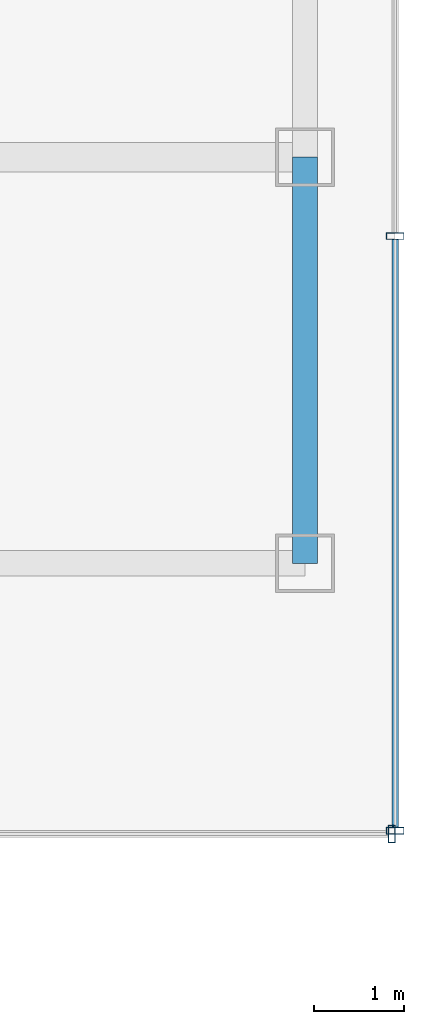
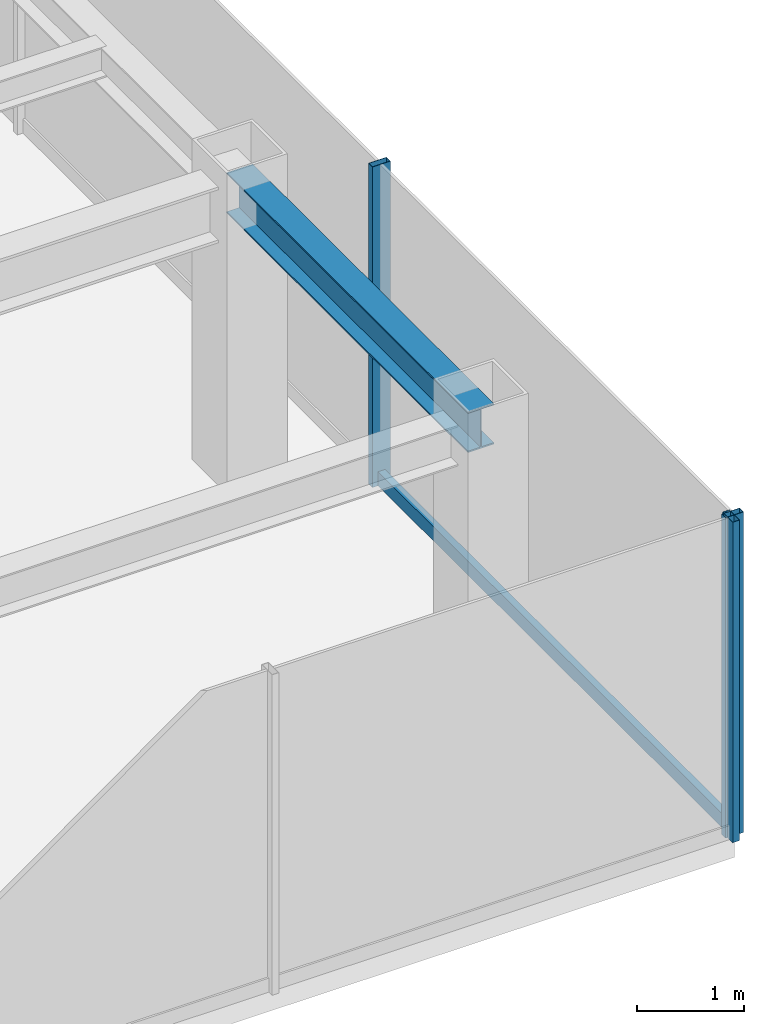
# One storey, part 11 of 25: 4 members, 1 beam, 2 elements without a shape of their own.
"""IFC4 building model written with IfcOpenShell, lengths in metres."""

import ifcopenshell
import ifcopenshell.guid

model = None  # the IFC model being written
_history = None  # IfcOwnerHistory: only IFC2X3 demands one
_inside = {}  # id of a spatial element -> (the spatial element, [elements in it])
_under = {}  # id of a project, library or spatial element -> (it, [spatial elements below it])
_declared = {}  # id of a project -> (the project, [libraries it declares])
_typed = {}  # id of a type object -> (the type object, [elements of that type])
_made_of = {}  # id of a material, layer set ... -> (it, [elements and type objects made of it])


def new_model(schema):
    """Start an empty IFC model of exactly this schema.

    Asked for "IFC4X3", IfcOpenShell would pick the latest addendum, in which some entities
    have other attributes; the version numbers below select the first issue.
    IFC2X3 requires an IfcOwnerHistory on every rooted entity: one is made here for all.
    """
    global model, _history
    if schema == "IFC4X3":
        model = ifcopenshell.file(schema_version=(4, 3, 0, 0))
    else:
        model = ifcopenshell.file(schema=schema)
    _inside.clear()
    _under.clear()
    _declared.clear()
    _typed.clear()
    _made_of.clear()
    _history = None
    if model.schema == "IFC2X3":
        org = make("IfcOrganization", Name="unknown")
        user = make(
            "IfcPersonAndOrganization",
            ThePerson=make("IfcPerson", FamilyName="unknown"),
            TheOrganization=org,
        )
        app = make(
            "IfcApplication",
            ApplicationDeveloper=org,
            Version="unknown",
            ApplicationFullName="unknown",
            ApplicationIdentifier="unknown",
        )
        _history = make(
            "IfcOwnerHistory",
            OwningUser=user,
            OwningApplication=app,
            ChangeAction="ADDED",
            CreationDate=0,
        )
    return model


def make(cls, **values):
    """One entity of the class cls with the attributes given. An attribute that is None is left unset."""
    return model.create_entity(
        cls, **{name: value for name, value in values.items() if value is not None}
    )


def rooted(cls, **values):
    """An entity with a GlobalId (a new one), such as an element, a storey or a relation."""
    return make(cls, GlobalId=ifcopenshell.guid.new(), OwnerHistory=_history, **values)


def si_unit(unit_type, name, prefix=None):
    """IfcSIUnit, for example si_unit("LENGTHUNIT", "METRE", prefix="MILLI")."""
    return make("IfcSIUnit", UnitType=unit_type, Prefix=prefix, Name=name)


def derived_unit(unit_type, elements):
    """IfcDerivedUnit: a product of units, each with its exponent."""
    return make(
        "IfcDerivedUnit",
        Elements=[
            make("IfcDerivedUnitElement", Unit=unit, Exponent=power)
            for unit, power in elements
        ],
        UnitType=unit_type,
    )


def assignment(units):
    """IfcUnitAssignment: the units of a project."""
    return None if units is None else make("IfcUnitAssignment", Units=units)


def point(xyz):
    """IfcCartesianPoint."""
    return None if xyz is None else make("IfcCartesianPoint", Coordinates=xyz)


def direction(xyz):
    """IfcDirection."""
    return None if xyz is None else make("IfcDirection", DirectionRatios=xyz)


def frame(location, z_axis=None, x_axis=None):
    """IfcAxis2Placement3D, a coordinate frame: its origin and axes. An axis left out is left unset."""
    return make(
        "IfcAxis2Placement3D",
        Location=point(location),
        Axis=direction(z_axis),
        RefDirection=direction(x_axis),
    )


def frame_2d(location, x_axis=None):
    """IfcAxis2Placement2D, a coordinate frame in the plane: its origin and x axis."""
    return make(
        "IfcAxis2Placement2D", Location=point(location), RefDirection=direction(x_axis)
    )


def origin():
    """The frame at (0, 0, 0) with its axes left unset."""
    return frame((0.0, 0.0, 0.0))


def origin_2d():
    """The frame at (0, 0) in the plane with its x axis left unset."""
    return frame_2d((0.0, 0.0))


def place(relative_to, where):
    """IfcLocalPlacement: puts the frame where relative to a parent placement (None: the world)."""
    return make(
        "IfcLocalPlacement", PlacementRelTo=relative_to, RelativePlacement=where
    )


def context(
    kind, dimensions, precision=None, world=None, true_north=None, identifier=None
):
    """IfcGeometricRepresentationContext, for example the 3D "Model" context."""
    return make(
        "IfcGeometricRepresentationContext",
        ContextIdentifier=identifier,
        ContextType=kind,
        CoordinateSpaceDimension=dimensions,
        Precision=precision,
        WorldCoordinateSystem=world,
        TrueNorth=true_north,
    )


def subcontext(parent, identifier, kind, view, scale=None):
    """IfcGeometricRepresentationSubContext, for example "Body" below "Model"."""
    return make(
        "IfcGeometricRepresentationSubContext",
        ContextIdentifier=identifier,
        ContextType=kind,
        ParentContext=parent,
        TargetScale=scale,
        TargetView=view,
    )


def project(units=None, contexts=None):
    """IfcProject with its units and contexts."""
    return rooted(
        "IfcProject",
        Name="project",
        RepresentationContexts=contexts,
        UnitsInContext=assignment(units),
    )


def spatial(cls, under=None, at=None, **own):
    """A site, building, storey or space (cls), placed at a placement, below another one or the project."""
    s = rooted(cls, ObjectPlacement=at, **own)
    if under is not None:
        _under.setdefault(under.id(), (under, []))[1].append(s)
    return s


def profile(cls, at=None, kind="AREA", **sizes):
    """A parametric profile (cls). Its sizes go by their IFC names, for example OverallWidth=200.0."""
    return make(cls, ProfileType=kind, Position=at, **sizes)


def hollow_rectangle(**sizes):
    """IfcRectangleHollowProfileDef."""
    return profile("IfcRectangleHollowProfileDef", **sizes)


def i_section(**sizes):
    """IfcIShapeProfileDef."""
    return profile("IfcIShapeProfileDef", **sizes)


def extrude(swept, where, along, depth):
    """IfcExtrudedAreaSolid: the profile swept, set in the frame where, extruded along a direction by depth."""
    return make(
        "IfcExtrudedAreaSolid",
        SweptArea=swept,
        Position=where,
        ExtrudedDirection=direction(along),
        Depth=depth,
    )


def shape(context_of_items, identifier, shape_type, items):
    """IfcShapeRepresentation: the items that make up one representation, for example the "Body"."""
    return make(
        "IfcShapeRepresentation",
        ContextOfItems=context_of_items,
        RepresentationIdentifier=identifier,
        RepresentationType=shape_type,
        Items=items,
    )


def source(mapping_origin, context_of_items, identifier, shape_type, items):
    """IfcRepresentationMap: a shape defined once, which mapped items show again and again."""
    return make(
        "IfcRepresentationMap",
        MappingOrigin=mapping_origin,
        MappedRepresentation=shape(context_of_items, identifier, shape_type, items),
    )


def transform(
    local_origin,
    x_axis=None,
    y_axis=None,
    z_axis=None,
    scale=None,
    scale2=None,
    scale3=None,
    uniform=True,
):
    """IfcCartesianTransformationOperator3D, or its non-uniform kind. x_axis, y_axis, z_axis: its Axis1, 2, 3."""
    if uniform:
        return make(
            "IfcCartesianTransformationOperator3D",
            Axis1=direction(x_axis),
            Axis2=direction(y_axis),
            LocalOrigin=point(local_origin),
            Scale=scale,
            Axis3=direction(z_axis),
        )
    return make(
        "IfcCartesianTransformationOperator3DnonUniform",
        Axis1=direction(x_axis),
        Axis2=direction(y_axis),
        LocalOrigin=point(local_origin),
        Scale=scale,
        Axis3=direction(z_axis),
        Scale2=scale2,
        Scale3=scale3,
    )


def mapped(mapping_source, mapping_target):
    """IfcMappedItem: shows the shape of a source again, moved by a transform."""
    return make(
        "IfcMappedItem", MappingSource=mapping_source, MappingTarget=mapping_target
    )


def material(Name=None, Category=None):
    """IfcMaterial."""
    return make("IfcMaterial", Name=Name, Category=Category)


def material_profile(
    of_material, cross_section, Name=None, Category=None, Priority=None
):
    """IfcMaterialProfile: a cross section and its material."""
    return make(
        "IfcMaterialProfile",
        Name=Name,
        Material=of_material,
        Profile=cross_section,
        Priority=Priority,
        Category=Category,
    )


def profile_set(profiles, Name=None, composite=None):
    """IfcMaterialProfileSet."""
    return make(
        "IfcMaterialProfileSet",
        Name=Name,
        MaterialProfiles=profiles,
        CompositeProfile=composite,
    )


def made_of(thing, what):
    """Note that an element or type object is made of a material, layer set ...; save() writes the relation."""
    if what is not None:
        _made_of.setdefault(what.id(), (what, []))[1].append(thing)
    return thing


def type_object(cls, material=None, **own):
    """A type object (cls), such as IfcWallType, which elements share."""
    return made_of(rooted(cls, **own), material)


def element(
    cls,
    number,
    at=None,
    inside=None,
    cuts=None,
    type_object=None,
    material=None,
    context=None,
    identifier="Body",
    shape_type=None,
    held_by="IfcProductDefinitionShape",
    body=None,
    shapes=None,
    **own,
):
    """One element of the class cls, such as IfcWall. Its Tag is "e" and its number.

    at: its placement. inside: the storey or other place that contains it. cuts: it is an
    opening in that element (IfcRelVoidsElement). A single representation is given by context,
    identifier, shape_type and body (its items); several are given by shapes. held_by: the class
    of the entity that holds the representations. save() writes the other relations.
    """
    e = rooted(cls, Tag="e%d" % number, ObjectPlacement=at, **own)
    if body is not None:
        shapes = [shape(context, identifier, shape_type, body)]
    if shapes is not None:
        e.Representation = make(held_by, Representations=shapes)
    if inside is not None:
        _inside.setdefault(inside.id(), (inside, []))[1].append(e)
    if cuts is not None:
        rooted(
            "IfcRelVoidsElement", RelatingBuildingElement=cuts, RelatedOpeningElement=e
        )
    if type_object is not None:
        _typed.setdefault(type_object.id(), (type_object, []))[1].append(e)
    return made_of(e, material)


def aggregate(whole, parts):
    """IfcRelAggregates: a whole, such as a stair, and the parts it consists of."""
    return rooted("IfcRelAggregates", RelatingObject=whole, RelatedObjects=parts)


def save(model, path):
    """Write the relations noted so far, then the file.

    IfcRelAggregates (storeys below a building ...), IfcRelContainedInSpatialStructure (elements
    in a storey), IfcRelDefinesByType, IfcRelAssociatesMaterial and IfcRelDeclares: one each for
    every whole, place, type object, material and project.
    """
    for whole, parts in _under.values():
        aggregate(whole, parts)
    for where, things in _inside.values():
        rooted(
            "IfcRelContainedInSpatialStructure",
            RelatedElements=things,
            RelatingStructure=where,
        )
    for kind, things in _typed.values():
        rooted("IfcRelDefinesByType", RelatedObjects=things, RelatingType=kind)
    for what, things in _made_of.values():
        rooted("IfcRelAssociatesMaterial", RelatedObjects=things, RelatingMaterial=what)
    for by, libraries in _declared.values():
        rooted("IfcRelDeclares", RelatingContext=by, RelatedDefinitions=libraries)
    model.write(path)


model = new_model("IFC4")

# Units and contexts
model_context = context("Model", 3, precision=1e-05, world=origin(), true_north=direction((0.0, 1.0)))
body_context = subcontext(model_context, "Body", "Model", "MODEL_VIEW")
ifc_project = project(units=[si_unit("LENGTHUNIT", "METRE"), si_unit("AREAUNIT", "SQUARE_METRE"), si_unit("VOLUMEUNIT", "CUBIC_METRE"), si_unit("PLANEANGLEUNIT", "RADIAN"), si_unit("MASSUNIT", "GRAM", prefix="KILO"), derived_unit("THERMALTRANSMITTANCEUNIT", [(si_unit("POWERUNIT", "WATT"), 1), (si_unit("LENGTHUNIT", "METRE"), -2), (si_unit("THERMODYNAMICTEMPERATUREUNIT", "KELVIN"), -1)])], contexts=[model_context])

# Site, building, storey
site_placement = place(None, origin())
site = spatial("IfcSite", under=ifc_project, at=site_placement, CompositionType="ELEMENT")
building_placement = place(site_placement, origin())
building = spatial("IfcBuilding", under=site, at=building_placement, Name="Skarnbrae Concourse Arena and Tower", CompositionType="ELEMENT")
storey_placement = place(building_placement, frame((0.0, 0.0, 166.14990234375)))
storey = spatial("IfcBuildingStorey", under=building, at=storey_placement, Name="L42", CompositionType="ELEMENT", Elevation=166.14990234375)

# Beam
ifc_material_1 = material(Name="Steel CSA G40.21 350W", Category="steel")
ifc_material_profile_1 = material_profile(ifc_material_1, i_section(OverallWidth=0.280029296875, OverallDepth=0.462890625, WebThickness=0.0107421875, FlangeThickness=0.017333984375, at=origin_2d()), Name="W460X113")
ifc_profile_set_1 = profile_set([ifc_material_profile_1], Name="Steel CSA G40.21 350W")
beam_type = type_object("IfcBeamType", Name="BM-SPAN-W460X113", PredefinedType="SPANDREL", material=ifc_profile_set_1)
shared_shape_1 = source(origin(), body_context, "Body", "SweptSolid", [
    extrude(i_section(OverallWidth=0.280029296875, OverallDepth=0.462890625, WebThickness=0.0107421875, FlangeThickness=0.017333984375, at=origin_2d()), origin(), (0.0, 0.0, 1.0), 4.5),
])
beam_placement = place(storey_placement, frame((49.0, 9.5, 3.168701171875), z_axis=(0.0, 1.0, 0.0), x_axis=(-1.0, 0.0, 0.0)))
element("IfcBeam", 1, at=beam_placement, inside=storey, type_object=beam_type, Name="L42 Perimeter spandrel X49.0-1", PredefinedType="SPANDREL", context=body_context, shape_type="MappedRepresentation", body=[
    mapped(shared_shape_1, transform((0.0, 0.0, 0.0))),
])

# Curtain wall, member
ifc_material_2 = material(Name="Bronze anodised aluminium 6063-T6", Category="aluminium")
curtain_wall_type = type_object("IfcCurtainWallType", Name="CW-SYS-04-MIDZONE", PredefinedType="USERDEFINED", material=ifc_material_2)
curtain_wall_1_placement = place(storey_placement, origin())
curtain_wall_1 = element("IfcCurtainWall", 2, at=curtain_wall_1_placement, inside=storey, type_object=curtain_wall_type, Name="L42 Unitised curtain wall CW-L42-E03", ObjectType="UNITISED CURTAIN WALL", PredefinedType="USERDEFINED")
ifc_material_profile_2 = material_profile(ifc_material_2, hollow_rectangle(XDim=0.074951171875, YDim=0.195068359375, WallThickness=0.00439453125, at=origin_2d()), Name="ALU-MULL-75X195")
ifc_profile_set_2 = profile_set([ifc_material_profile_2], Name="Bronze anodised aluminium 6063-T6")
member_type_1 = type_object("IfcMemberType", Name="CWM-CW-04", PredefinedType="MULLION", material=ifc_profile_set_2)
shared_shape_2 = source(origin(), body_context, "Body", "SweptSolid", [
    extrude(hollow_rectangle(XDim=0.074951171875, YDim=0.195068359375, WallThickness=0.00439453125, at=origin_2d()), origin(), (0.0, 0.0, 1.0), 3.650146484375),
])
member_1_placement = place(storey_placement, frame((49.96240234375, 6.5, 0.0), z_axis=(0.0, 0.0, 1.0), x_axis=(1.0, 0.0, 0.0)))
member_1 = element("IfcMember", 3, at=member_1_placement, type_object=member_type_1, Name="CW-L42-E03 Mullion 3", PredefinedType="MULLION", context=body_context, shape_type="MappedRepresentation", body=[
    mapped(shared_shape_2, transform((0.0, 0.0, 0.0))),
])
aggregate(curtain_wall_1, [member_1])

# Curtain wall, members
curtain_wall_2_placement = place(storey_placement, origin())
curtain_wall_2 = element("IfcCurtainWall", 4, at=curtain_wall_2_placement, inside=storey, type_object=curtain_wall_type, Name="L42 Unitised curtain wall CW-L42-E04", ObjectType="UNITISED CURTAIN WALL", PredefinedType="USERDEFINED")
member_2_placement = place(storey_placement, frame((50.0, 6.53759765625, 0.0), z_axis=(0.0, 0.0, 1.0), x_axis=(0.0, 1.0, 0.0)))
member_2 = element("IfcMember", 5, at=member_2_placement, type_object=member_type_1, Name="CW-L42-E04 Mullion 1", PredefinedType="MULLION", context=body_context, shape_type="MappedRepresentation", body=[
    mapped(shared_shape_2, transform((0.0, 0.0, 0.0))),
])
member_3_placement = place(storey_placement, frame((50.0, 13.125, 0.0), z_axis=(0.0, 0.0, 1.0), x_axis=(0.0, 1.0, 0.0)))
member_3 = element("IfcMember", 6, at=member_3_placement, type_object=member_type_1, Name="CW-L42-E04 Mullion 2", PredefinedType="MULLION", context=body_context, shape_type="MappedRepresentation", body=[
    mapped(shared_shape_2, transform((0.0, 0.0, 0.0))),
])
ifc_material_profile_3 = material_profile(ifc_material_2, hollow_rectangle(XDim=0.074951171875, YDim=0.159912109375, WallThickness=0.00439453125, at=origin_2d()), Name="ALU-TRAN-75X160")
ifc_profile_set_3 = profile_set([ifc_material_profile_3], Name="Bronze anodised aluminium 6063-T6")
member_type_2 = type_object("IfcMemberType", Name="CWT-CW-04", PredefinedType="USERDEFINED", material=ifc_profile_set_3)
shared_shape_3 = source(origin(), body_context, "Body", "SweptSolid", [
    extrude(hollow_rectangle(XDim=0.074951171875, YDim=0.159912109375, WallThickness=0.00439453125, at=origin_2d()), origin(), (0.0, 0.0, 1.0), 6.512451171875),
])
member_4_placement = place(storey_placement, frame((50.0, 6.574951171875, 0.080078125), z_axis=(0.0, 1.0, 0.0), x_axis=(-1.0, 0.0, 0.0)))
member_4 = element("IfcMember", 7, at=member_4_placement, type_object=member_type_2, Name="CW-L42-E04 Transom 1", ObjectType="TRANSOM", PredefinedType="USERDEFINED", context=body_context, shape_type="MappedRepresentation", body=[
    mapped(shared_shape_3, transform((0.0, 0.0, 0.0))),
])
aggregate(curtain_wall_2, [member_2, member_3, member_4])

save(model, "model.ifc")
